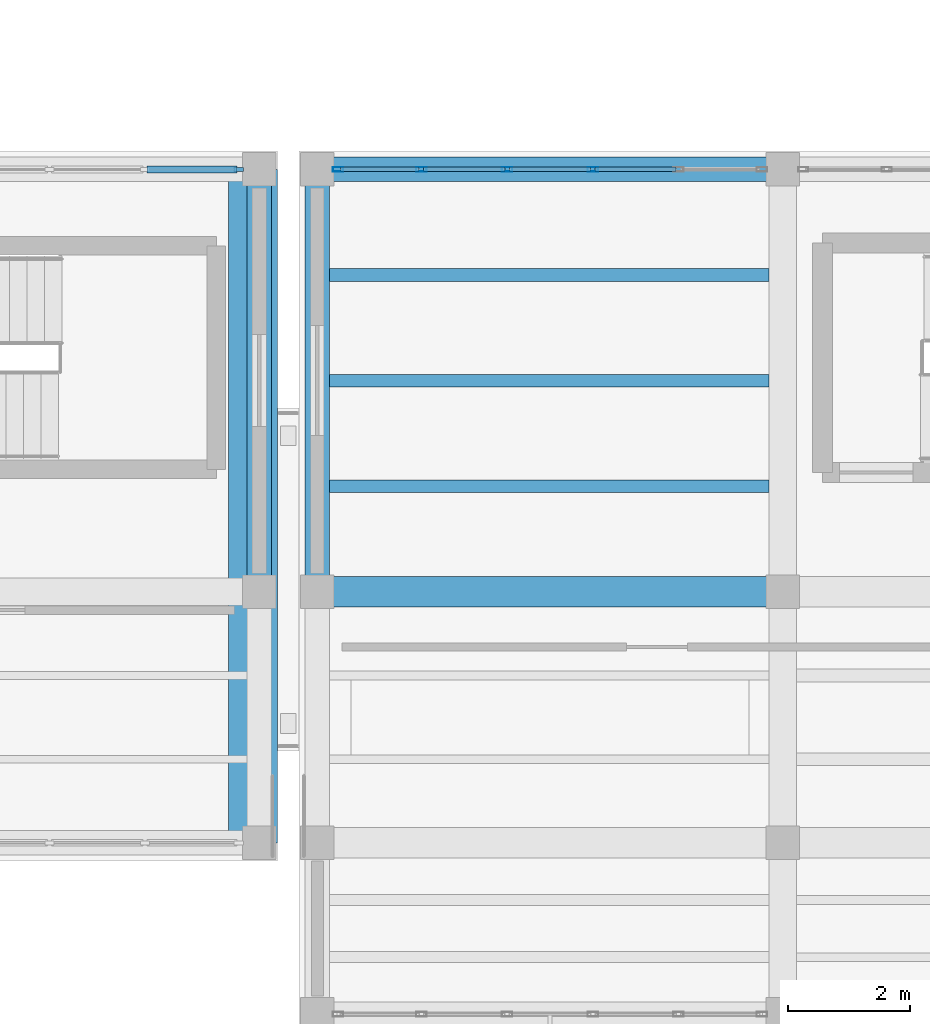
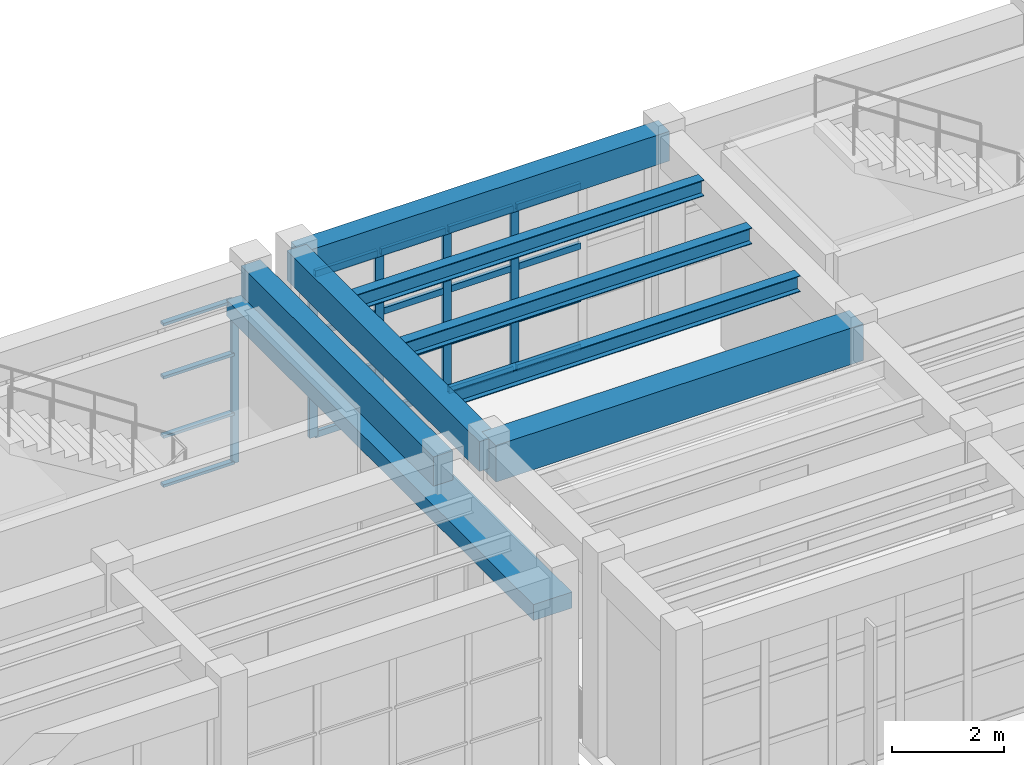
# One storey, part 23 of 85: 25 members, 8 beams, 2 elements without a shape of their own.
"""IFC4 building model written with IfcOpenShell, lengths in metres."""

from ifc_helpers import new_model, si_unit, direction, frame, origin, origin_2d, place, context, subcontext, project, spatial, rectangle, hollow_rectangle, i_section, extrude, material, layer, layer_set, material_profile, profile_set, type_object, element, aggregate, save


model = new_model("IFC4")

# Units and contexts
model_context = context("Model", 3, precision=1e-05, world=origin(), true_north=direction((0.0, 1.0)))
body_context = subcontext(model_context, "Body", "Model", "MODEL_VIEW")
ifc_project = project(units=[si_unit("LENGTHUNIT", "METRE"), si_unit("AREAUNIT", "SQUARE_METRE"), si_unit("VOLUMEUNIT", "CUBIC_METRE"), si_unit("PLANEANGLEUNIT", "RADIAN"), si_unit("MASSUNIT", "GRAM", prefix="KILO")], contexts=[model_context])

# Site, building, storey
site_placement = place(None, origin())
site = spatial("IfcSite", under=ifc_project, at=site_placement, CompositionType="ELEMENT")
building_placement = place(site_placement, origin())
building = spatial("IfcBuilding", under=site, at=building_placement, Name="Candilejo Ridge Gondola Terminal", CompositionType="ELEMENT")
storey_placement = place(building_placement, frame((0.0, 0.0, 4.5)))
storey = spatial("IfcBuildingStorey", under=building, at=storey_placement, Name="L01", CompositionType="ELEMENT", Elevation=4.5)

# Curtain wall, members
ifc_material_1 = material(Name="Anodised aluminium AA 6063-T6", Category="aluminium")
ifc_layer_1 = layer(ifc_material_1, 0.169921875)
ifc_layer_set_1 = layer_set([ifc_layer_1], Name="ARC-CW-GALLERY-3200-700X359")
curtain_wall_type_1 = type_object("IfcCurtainWallType", Name="ARC-CW-GALLERY-3200-700X359", PredefinedType="NOTDEFINED", material=ifc_layer_set_1)
curtain_wall_1_placement = place(storey_placement, origin())
curtain_wall_1 = element("IfcCurtainWall", 1, at=curtain_wall_1_placement, inside=storey, type_object=curtain_wall_type_1, Name="Curtain wall V3 L01-070", PredefinedType="NOTDEFINED")
ifc_material_2 = material(Name="Anodised aluminium AA 6063-T6", Category="aluminium")
ifc_material_profile_1 = material_profile(ifc_material_2, hollow_rectangle(XDim=0.074951171875, YDim=0.169921875, WallThickness=0.00390625, at=origin_2d()))
ifc_profile_set_1 = profile_set([ifc_material_profile_1], Name="Anodised aluminium AA 6063-T6")
member_type_1 = type_object("IfcMemberType", Name="ARC-CW-MULLION", PredefinedType="MULLION", material=ifc_profile_set_1)
member_1_placement = place(storey_placement, frame((87.33740234375, 36.699951171875, 0.0), z_axis=(0.0, 0.0, 1.0), x_axis=(0.0, 1.0, 0.0)))
member_1 = element("IfcMember", 2, at=member_1_placement, type_object=member_type_1, Name="CW-70X35 mullion 1", PredefinedType="MULLION", context=body_context, shape_type="SweptSolid", body=[
    extrude(hollow_rectangle(XDim=0.074951171875, YDim=0.169921875, WallThickness=0.00390625, at=origin_2d()), origin(), (0.0, 0.0, 1.0), 3.590087890625),
])
member_2_placement = place(storey_placement, frame((88.699951171875, 36.699951171875, 0.0), z_axis=(0.0, 0.0, 1.0), x_axis=(0.0, 1.0, 0.0)))
member_2 = element("IfcMember", 3, at=member_2_placement, type_object=member_type_1, Name="CW-70X35 mullion 2", PredefinedType="MULLION", context=body_context, shape_type="SweptSolid", body=[
    extrude(hollow_rectangle(XDim=0.074951171875, YDim=0.169921875, WallThickness=0.00390625, at=origin_2d()), origin(), (0.0, 0.0, 1.0), 3.590087890625),
])
member_3_placement = place(storey_placement, frame((90.10009765625, 36.699951171875, 0.0), z_axis=(0.0, 0.0, 1.0), x_axis=(0.0, 1.0, 0.0)))
member_3 = element("IfcMember", 4, at=member_3_placement, type_object=member_type_1, Name="CW-70X35 mullion 3", PredefinedType="MULLION", context=body_context, shape_type="SweptSolid", body=[
    extrude(hollow_rectangle(XDim=0.074951171875, YDim=0.169921875, WallThickness=0.00390625, at=origin_2d()), origin(), (0.0, 0.0, 1.0), 3.590087890625),
])
member_4_placement = place(storey_placement, frame((91.5, 36.699951171875, 0.0), z_axis=(0.0, 0.0, 1.0), x_axis=(0.0, 1.0, 0.0)))
member_4 = element("IfcMember", 5, at=member_4_placement, type_object=member_type_1, Name="CW-70X35 mullion 4", PredefinedType="MULLION", context=body_context, shape_type="SweptSolid", body=[
    extrude(hollow_rectangle(XDim=0.074951171875, YDim=0.169921875, WallThickness=0.00390625, at=origin_2d()), origin(), (0.0, 0.0, 1.0), 3.590087890625),
])

# Curtain wall, member
ifc_material_3 = material(Name="Anodised aluminium AA 6063-T6", Category="aluminium")
ifc_layer_2 = layer(ifc_material_3, 0.169921875)
ifc_layer_set_2 = layer_set([ifc_layer_2], Name="ARC-CW-DRUM-3400-625X359")
curtain_wall_type_2 = type_object("IfcCurtainWallType", Name="ARC-CW-DRUM-3400-625X359", PredefinedType="NOTDEFINED", material=ifc_layer_set_2)
curtain_wall_2_placement = place(storey_placement, origin())
curtain_wall_2 = element("IfcCurtainWall", 6, at=curtain_wall_2_placement, inside=storey, type_object=curtain_wall_type_2, Name="Curtain wall V2 L01-044", PredefinedType="NOTDEFINED")
ifc_material_4 = material(Name="Anodised aluminium AA 6063-T6", Category="aluminium")
ifc_material_profile_2 = material_profile(ifc_material_4, rectangle(XDim=0.06494140625, YDim=0.14990234375, at=origin_2d()))
ifc_profile_set_2 = profile_set([ifc_material_profile_2], Name="Anodised aluminium AA 6063-T6")
member_type_2 = type_object("IfcMemberType", Name="ARC-CW-MULLION-150", PredefinedType="MULLION", material=ifc_profile_set_2)
member_5_placement = place(storey_placement, frame((85.717529296875, 36.699951171875, 0.0), z_axis=(0.0, 0.0, 1.0), x_axis=(0.0, 1.0, 0.0)))
member_5 = element("IfcMember", 7, at=member_5_placement, type_object=member_type_2, Name="CW-62X35 mullion 5", PredefinedType="MULLION", context=body_context, shape_type="SweptSolid", body=[
    extrude(rectangle(XDim=0.06494140625, YDim=0.14990234375, at=origin_2d()), origin(), (0.0, 0.0, 1.0), 3.590087890625),
])

# Member
ifc_material_5 = material(Name="Anodised aluminium AA 6063-T6", Category="aluminium")
ifc_material_profile_3 = material_profile(ifc_material_5, hollow_rectangle(XDim=0.074951171875, YDim=0.139892578125, WallThickness=0.00390625, at=origin_2d()))
ifc_profile_set_3 = profile_set([ifc_material_profile_3], Name="Anodised aluminium AA 6063-T6")
member_type_3 = type_object("IfcMemberType", Name="ARC-CW-TRANSOM", PredefinedType="USERDEFINED", material=ifc_profile_set_3)
member_6_placement = place(storey_placement, frame((87.375, 36.699951171875, 0.03759765625), z_axis=(1.0, 0.0, 0.0), x_axis=(0.0, 1.0, 0.0)))
member_6 = element("IfcMember", 8, at=member_6_placement, type_object=member_type_3, Name="CW-70X35 transom 1.1", ObjectType="TRANSOM", PredefinedType="USERDEFINED", context=body_context, shape_type="SweptSolid", body=[
    extrude(hollow_rectangle(XDim=0.074951171875, YDim=0.139892578125, WallThickness=0.00390625, at=origin_2d()), origin(), (0.0, 0.0, 1.0), 1.28759765625),
])

member_7_placement = place(storey_placement, frame((87.375, 36.699951171875, 1.10009765625), z_axis=(1.0, 0.0, 0.0), x_axis=(0.0, 1.0, 0.0)))
member_7 = element("IfcMember", 9, at=member_7_placement, type_object=member_type_3, Name="CW-70X35 transom 1.2", ObjectType="TRANSOM", PredefinedType="USERDEFINED", context=body_context, shape_type="SweptSolid", body=[
    extrude(hollow_rectangle(XDim=0.074951171875, YDim=0.139892578125, WallThickness=0.00390625, at=origin_2d()), origin(), (0.0, 0.0, 1.0), 1.28759765625),
])

member_8_placement = place(storey_placement, frame((87.375, 36.699951171875, 2.25), z_axis=(1.0, 0.0, 0.0), x_axis=(0.0, 1.0, 0.0)))
member_8 = element("IfcMember", 10, at=member_8_placement, type_object=member_type_3, Name="CW-70X35 transom 1.3", ObjectType="TRANSOM", PredefinedType="USERDEFINED", context=body_context, shape_type="SweptSolid", body=[
    extrude(hollow_rectangle(XDim=0.074951171875, YDim=0.139892578125, WallThickness=0.00390625, at=origin_2d()), origin(), (0.0, 0.0, 1.0), 1.28759765625),
])

member_9_placement = place(storey_placement, frame((87.375, 36.699951171875, 3.552490234375), z_axis=(1.0, 0.0, 0.0), x_axis=(0.0, 1.0, 0.0)))
member_9 = element("IfcMember", 11, at=member_9_placement, type_object=member_type_3, Name="CW-70X35 transom 1.4", ObjectType="TRANSOM", PredefinedType="USERDEFINED", context=body_context, shape_type="SweptSolid", body=[
    extrude(hollow_rectangle(XDim=0.074951171875, YDim=0.139892578125, WallThickness=0.00390625, at=origin_2d()), origin(), (0.0, 0.0, 1.0), 1.28759765625),
])

member_10_placement = place(storey_placement, frame((88.737548828125, 36.699951171875, 0.03759765625), z_axis=(1.0, 0.0, 0.0), x_axis=(0.0, 1.0, 0.0)))
member_10 = element("IfcMember", 12, at=member_10_placement, type_object=member_type_3, Name="CW-70X35 transom 2.1", ObjectType="TRANSOM", PredefinedType="USERDEFINED", context=body_context, shape_type="SweptSolid", body=[
    extrude(hollow_rectangle(XDim=0.074951171875, YDim=0.139892578125, WallThickness=0.00390625, at=origin_2d()), origin(), (0.0, 0.0, 1.0), 1.324951171875),
])

member_11_placement = place(storey_placement, frame((88.737548828125, 36.699951171875, 1.10009765625), z_axis=(1.0, 0.0, 0.0), x_axis=(0.0, 1.0, 0.0)))
member_11 = element("IfcMember", 13, at=member_11_placement, type_object=member_type_3, Name="CW-70X35 transom 2.2", ObjectType="TRANSOM", PredefinedType="USERDEFINED", context=body_context, shape_type="SweptSolid", body=[
    extrude(hollow_rectangle(XDim=0.074951171875, YDim=0.139892578125, WallThickness=0.00390625, at=origin_2d()), origin(), (0.0, 0.0, 1.0), 1.324951171875),
])

member_12_placement = place(storey_placement, frame((88.737548828125, 36.699951171875, 2.25), z_axis=(1.0, 0.0, 0.0), x_axis=(0.0, 1.0, 0.0)))
member_12 = element("IfcMember", 14, at=member_12_placement, type_object=member_type_3, Name="CW-70X35 transom 2.3", ObjectType="TRANSOM", PredefinedType="USERDEFINED", context=body_context, shape_type="SweptSolid", body=[
    extrude(hollow_rectangle(XDim=0.074951171875, YDim=0.139892578125, WallThickness=0.00390625, at=origin_2d()), origin(), (0.0, 0.0, 1.0), 1.324951171875),
])

member_13_placement = place(storey_placement, frame((88.737548828125, 36.699951171875, 3.552490234375), z_axis=(1.0, 0.0, 0.0), x_axis=(0.0, 1.0, 0.0)))
member_13 = element("IfcMember", 15, at=member_13_placement, type_object=member_type_3, Name="CW-70X35 transom 2.4", ObjectType="TRANSOM", PredefinedType="USERDEFINED", context=body_context, shape_type="SweptSolid", body=[
    extrude(hollow_rectangle(XDim=0.074951171875, YDim=0.139892578125, WallThickness=0.00390625, at=origin_2d()), origin(), (0.0, 0.0, 1.0), 1.324951171875),
])

member_14_placement = place(storey_placement, frame((90.137451171875, 36.699951171875, 0.03759765625), z_axis=(1.0, 0.0, 0.0), x_axis=(0.0, 1.0, 0.0)))
member_14 = element("IfcMember", 16, at=member_14_placement, type_object=member_type_3, Name="CW-70X35 transom 3.1", ObjectType="TRANSOM", PredefinedType="USERDEFINED", context=body_context, shape_type="SweptSolid", body=[
    extrude(hollow_rectangle(XDim=0.074951171875, YDim=0.139892578125, WallThickness=0.00390625, at=origin_2d()), origin(), (0.0, 0.0, 1.0), 1.324951171875),
])

member_15_placement = place(storey_placement, frame((90.137451171875, 36.699951171875, 1.10009765625), z_axis=(1.0, 0.0, 0.0), x_axis=(0.0, 1.0, 0.0)))
member_15 = element("IfcMember", 17, at=member_15_placement, type_object=member_type_3, Name="CW-70X35 transom 3.2", ObjectType="TRANSOM", PredefinedType="USERDEFINED", context=body_context, shape_type="SweptSolid", body=[
    extrude(hollow_rectangle(XDim=0.074951171875, YDim=0.139892578125, WallThickness=0.00390625, at=origin_2d()), origin(), (0.0, 0.0, 1.0), 1.324951171875),
])

member_16_placement = place(storey_placement, frame((90.137451171875, 36.699951171875, 2.25), z_axis=(1.0, 0.0, 0.0), x_axis=(0.0, 1.0, 0.0)))
member_16 = element("IfcMember", 18, at=member_16_placement, type_object=member_type_3, Name="CW-70X35 transom 3.3", ObjectType="TRANSOM", PredefinedType="USERDEFINED", context=body_context, shape_type="SweptSolid", body=[
    extrude(hollow_rectangle(XDim=0.074951171875, YDim=0.139892578125, WallThickness=0.00390625, at=origin_2d()), origin(), (0.0, 0.0, 1.0), 1.324951171875),
])

member_17_placement = place(storey_placement, frame((90.137451171875, 36.699951171875, 3.552490234375), z_axis=(1.0, 0.0, 0.0), x_axis=(0.0, 1.0, 0.0)))
member_17 = element("IfcMember", 19, at=member_17_placement, type_object=member_type_3, Name="CW-70X35 transom 3.4", ObjectType="TRANSOM", PredefinedType="USERDEFINED", context=body_context, shape_type="SweptSolid", body=[
    extrude(hollow_rectangle(XDim=0.074951171875, YDim=0.139892578125, WallThickness=0.00390625, at=origin_2d()), origin(), (0.0, 0.0, 1.0), 1.324951171875),
])

member_18_placement = place(storey_placement, frame((91.53759765625, 36.699951171875, 0.03759765625), z_axis=(1.0, 0.0, 0.0), x_axis=(0.0, 1.0, 0.0)))
member_18 = element("IfcMember", 20, at=member_18_placement, type_object=member_type_3, Name="CW-70X35 transom 4.1", ObjectType="TRANSOM", PredefinedType="USERDEFINED", context=body_context, shape_type="SweptSolid", body=[
    extrude(hollow_rectangle(XDim=0.074951171875, YDim=0.139892578125, WallThickness=0.00390625, at=origin_2d()), origin(), (0.0, 0.0, 1.0), 1.324951171875),
])

member_19_placement = place(storey_placement, frame((91.53759765625, 36.699951171875, 1.10009765625), z_axis=(1.0, 0.0, 0.0), x_axis=(0.0, 1.0, 0.0)))
member_19 = element("IfcMember", 21, at=member_19_placement, type_object=member_type_3, Name="CW-70X35 transom 4.2", ObjectType="TRANSOM", PredefinedType="USERDEFINED", context=body_context, shape_type="SweptSolid", body=[
    extrude(hollow_rectangle(XDim=0.074951171875, YDim=0.139892578125, WallThickness=0.00390625, at=origin_2d()), origin(), (0.0, 0.0, 1.0), 1.324951171875),
])

member_20_placement = place(storey_placement, frame((91.53759765625, 36.699951171875, 2.25), z_axis=(1.0, 0.0, 0.0), x_axis=(0.0, 1.0, 0.0)))
member_20 = element("IfcMember", 22, at=member_20_placement, type_object=member_type_3, Name="CW-70X35 transom 4.3", ObjectType="TRANSOM", PredefinedType="USERDEFINED", context=body_context, shape_type="SweptSolid", body=[
    extrude(hollow_rectangle(XDim=0.074951171875, YDim=0.139892578125, WallThickness=0.00390625, at=origin_2d()), origin(), (0.0, 0.0, 1.0), 1.324951171875),
])

member_21_placement = place(storey_placement, frame((91.53759765625, 36.699951171875, 3.552490234375), z_axis=(1.0, 0.0, 0.0), x_axis=(0.0, 1.0, 0.0)))
member_21 = element("IfcMember", 23, at=member_21_placement, type_object=member_type_3, Name="CW-70X35 transom 4.4", ObjectType="TRANSOM", PredefinedType="USERDEFINED", context=body_context, shape_type="SweptSolid", body=[
    extrude(hollow_rectangle(XDim=0.074951171875, YDim=0.139892578125, WallThickness=0.00390625, at=origin_2d()), origin(), (0.0, 0.0, 1.0), 1.324951171875),
])

aggregate(curtain_wall_1, [member_1, member_2, member_3, member_4, member_6, member_7, member_8, member_9, member_10, member_11, member_12, member_13, member_14, member_15, member_16, member_17, member_18, member_19, member_20, member_21])

ifc_material_6 = material(Name="Anodised aluminium AA 6063-T6", Category="aluminium")
ifc_material_profile_4 = material_profile(ifc_material_6, rectangle(XDim=0.110107421875, YDim=0.06005859375, at=origin_2d()))
ifc_profile_set_4 = profile_set([ifc_material_profile_4], Name="Anodised aluminium AA 6063-T6")
member_type_4 = type_object("IfcMemberType", Name="ARC-CW-TRANSOM-110", PredefinedType="USERDEFINED", material=ifc_profile_set_4)
member_22_placement = place(storey_placement, frame((84.219970703125, 36.699951171875, 0.030029296875), z_axis=(1.0, 0.0, 0.0), x_axis=(0.0, 1.0, 0.0)))
member_22 = element("IfcMember", 24, at=member_22_placement, type_object=member_type_4, Name="CW-62X35 transom 4.1", ObjectType="TRANSOM", PredefinedType="USERDEFINED", context=body_context, shape_type="SweptSolid", body=[
    extrude(rectangle(XDim=0.110107421875, YDim=0.06005859375, at=origin_2d()), origin(), (0.0, 0.0, 1.0), 1.465087890625),
])

member_23_placement = place(storey_placement, frame((84.219970703125, 36.699951171875, 1.10009765625), z_axis=(1.0, 0.0, 0.0), x_axis=(0.0, 1.0, 0.0)))
member_23 = element("IfcMember", 25, at=member_23_placement, type_object=member_type_4, Name="CW-62X35 transom 4.2", ObjectType="TRANSOM", PredefinedType="USERDEFINED", context=body_context, shape_type="SweptSolid", body=[
    extrude(rectangle(XDim=0.110107421875, YDim=0.06005859375, at=origin_2d()), origin(), (0.0, 0.0, 1.0), 1.465087890625),
])

member_24_placement = place(storey_placement, frame((84.219970703125, 36.699951171875, 2.39990234375), z_axis=(1.0, 0.0, 0.0), x_axis=(0.0, 1.0, 0.0)))
member_24 = element("IfcMember", 26, at=member_24_placement, type_object=member_type_4, Name="CW-62X35 transom 4.3", ObjectType="TRANSOM", PredefinedType="USERDEFINED", context=body_context, shape_type="SweptSolid", body=[
    extrude(rectangle(XDim=0.110107421875, YDim=0.06005859375, at=origin_2d()), origin(), (0.0, 0.0, 1.0), 1.465087890625),
])

member_25_placement = place(storey_placement, frame((84.219970703125, 36.699951171875, 3.56005859375), z_axis=(1.0, 0.0, 0.0), x_axis=(0.0, 1.0, 0.0)))
member_25 = element("IfcMember", 27, at=member_25_placement, type_object=member_type_4, Name="CW-62X35 transom 4.4", ObjectType="TRANSOM", PredefinedType="USERDEFINED", context=body_context, shape_type="SweptSolid", body=[
    extrude(rectangle(XDim=0.110107421875, YDim=0.06005859375, at=origin_2d()), origin(), (0.0, 0.0, 1.0), 1.465087890625),
])

aggregate(curtain_wall_2, [member_5, member_22, member_23, member_24, member_25])

# Beams
ifc_material_7 = material(Name="Concrete f'c 35 MPa (C35/45)", Category="concrete")
ifc_material_profile_5 = material_profile(ifc_material_7, rectangle(XDim=0.5, YDim=0.800048828125, at=origin_2d()))
ifc_profile_set_5 = profile_set([ifc_material_profile_5], Name="Concrete f'c 35 MPa (C35/45)")
beam_type_1 = type_object("IfcBeamType", Name="STR-BM-RC500X800", PredefinedType="BEAM", material=ifc_profile_set_5)
beam_1_placement = place(storey_placement, frame((87.0, 29.800048828125, 3.85009765625), z_axis=(1.0, 0.0, 0.0), x_axis=(0.0, 1.0, 0.0)))
element("IfcBeam", 28, at=beam_1_placement, inside=storey, type_object=beam_type_1, Name="Beam X V3 L01 X14-X15@Y06", PredefinedType="BEAM", context=body_context, shape_type="SweptSolid", body=[
    extrude(rectangle(XDim=0.5, YDim=0.800048828125, at=origin_2d()), origin(), (0.0, 0.0, 1.0), 7.60009765625),
])
ifc_material_8 = material(Name="Concrete f'c 35 MPa (C35/45)", Category="concrete")
ifc_material_profile_6 = material_profile(ifc_material_8, rectangle(XDim=0.800048828125, YDim=0.35009765625, at=origin_2d()))
ifc_profile_set_6 = profile_set([ifc_material_profile_6], Name="Concrete f'c 35 MPa (C35/45)")
beam_type_2 = type_object("IfcBeamType", Name="STR-CRB-RC800X350", PredefinedType="SPANDREL", material=ifc_profile_set_6)
beam_2_placement = place(storey_placement, frame((85.949951171875, 25.699951171875, 3.43505859375), z_axis=(0.0, 1.0, 0.0), x_axis=(-1.0, 0.0, 0.0)))
element("IfcBeam", 29, at=beam_2_placement, inside=storey, type_object=beam_type_2, Name="Seismic bridge 800 mm RC corbel seat LB-SJ2-L02", PredefinedType="SPANDREL", context=body_context, shape_type="SweptSolid", body=[
    extrude(rectangle(XDim=0.800048828125, YDim=0.35009765625, at=origin_2d()), origin(), (0.0, 0.0, 1.0), 11.0),
])
ifc_material_9 = material(Name="Steel ASTM A992 Grade 50", Category="steel")
ifc_material_profile_7 = material_profile(ifc_material_9, i_section(OverallWidth=0.205078125, OverallDepth=0.35400390625, WebThickness=0.009521484375, FlangeThickness=0.016845703125, at=origin_2d()))
ifc_profile_set_7 = profile_set([ifc_material_profile_7], Name="Steel ASTM A992 Grade 50")
beam_type_3 = type_object("IfcBeamType", Name="STR-JST-W360X79", PredefinedType="JOIST", material=ifc_profile_set_7)
for number, where, z_axis, x_axis, name in (
    (30, (87.199951171875, 31.52490234375, 4.072998046875), (1.0, 0.0, 0.0), (0.0, 1.0, 0.0), "Composite joist V3 L01-0483"),
    (31, (87.199951171875, 33.25, 4.072998046875), (1.0, 0.0, 0.0), (0.0, 1.0, 0.0), "Composite joist V3 L01-0484"),
    (32, (87.199951171875, 34.97509765625, 4.072998046875), (1.0, 0.0, 0.0), (0.0, 1.0, 0.0), "Composite joist V3 L01-0485"),
):
    element("IfcBeam", number, at=place(storey_placement, frame(where, z_axis=z_axis, x_axis=x_axis)), inside=storey, type_object=beam_type_3, Name=name, PredefinedType="JOIST", context=body_context, shape_type="SweptSolid", body=[
        extrude(i_section(OverallWidth=0.205078125, OverallDepth=0.35400390625, WebThickness=0.009521484375, FlangeThickness=0.016845703125, at=origin_2d()), origin(), (0.0, 0.0, 1.0), 7.175048828125),
    ])
ifc_material_10 = material(Name="Concrete f'c 35 MPa (C35/45)", Category="concrete")
ifc_material_profile_8 = material_profile(ifc_material_10, rectangle(XDim=0.39990234375, YDim=0.64990234375, at=origin_2d()))
ifc_profile_set_8 = profile_set([ifc_material_profile_8], Name="Concrete f'c 35 MPa (C35/45)")
beam_type_4 = type_object("IfcBeamType", Name="STR-SPN-RC400X650", PredefinedType="SPANDREL", material=ifc_profile_set_8)
beam_3_placement = place(storey_placement, frame((86.050048828125, 29.800048828125, 3.925048828125), z_axis=(0.0, 1.0, 0.0), x_axis=(-1.0, 0.0, 0.0)))
element("IfcBeam", 33, at=beam_3_placement, inside=storey, type_object=beam_type_4, Name="Beam Y V2 L01 Y06-Y07@X13", PredefinedType="SPANDREL", context=body_context, shape_type="SweptSolid", body=[
    extrude(rectangle(XDim=0.39990234375, YDim=0.64990234375, at=origin_2d()), origin(), (0.0, 0.0, 1.0), 6.89990234375),
])
beam_4_placement = place(storey_placement, frame((87.0, 36.699951171875, 3.925048828125), z_axis=(1.0, 0.0, 0.0), x_axis=(0.0, 1.0, 0.0)))
element("IfcBeam", 34, at=beam_4_placement, inside=storey, type_object=beam_type_4, Name="Beam X V3 L01 X14-X15@Y07", PredefinedType="SPANDREL", context=body_context, shape_type="SweptSolid", body=[
    extrude(rectangle(XDim=0.39990234375, YDim=0.64990234375, at=origin_2d()), origin(), (0.0, 0.0, 1.0), 7.60009765625),
])
beam_5_placement = place(storey_placement, frame((87.0, 29.800048828125, 3.925048828125), z_axis=(0.0, 1.0, 0.0), x_axis=(-1.0, 0.0, 0.0)))
element("IfcBeam", 35, at=beam_5_placement, inside=storey, type_object=beam_type_4, Name="Beam Y V3 L01 Y06-Y07@X14", PredefinedType="SPANDREL", context=body_context, shape_type="SweptSolid", body=[
    extrude(rectangle(XDim=0.39990234375, YDim=0.64990234375, at=origin_2d()), origin(), (0.0, 0.0, 1.0), 6.89990234375),
])

save(model, "model.ifc")
